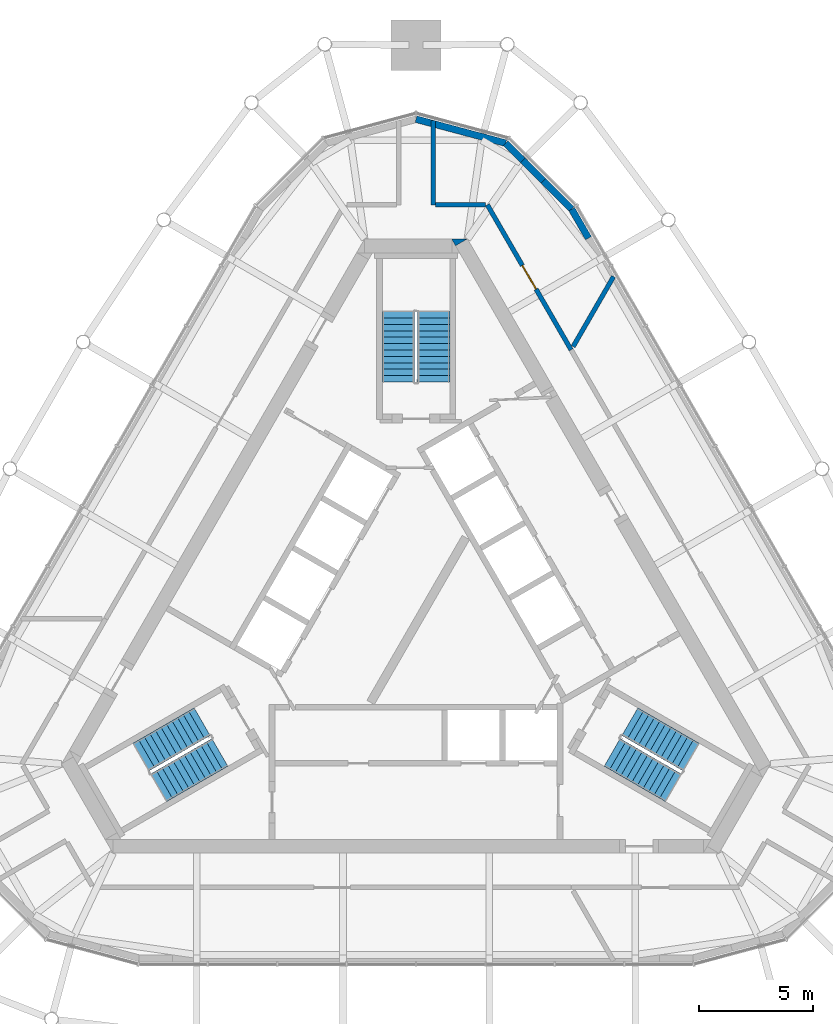
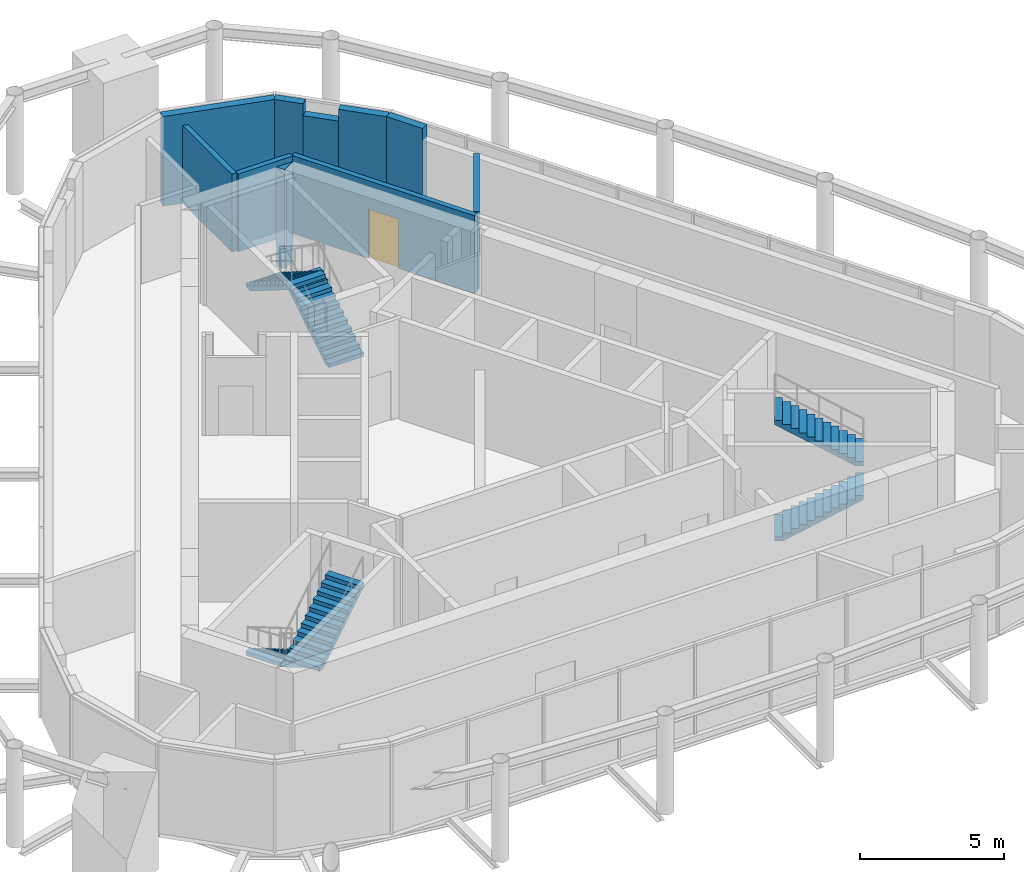
# One storey, part 10 of 11: 10 walls, 6 stair flights, 1 door, 1 opening, 3 elements without a shape of their own.
"""IFC4 building model written with IfcOpenShell, lengths in metres."""

from ifc_helpers import new_model, si_unit, direction, frame, frame_2d, origin, place, context, subcontext, project, spatial, polyline, rectangle, outline, extrude, material, layer, layer_set, type_object, element, fill, aggregate, save


model = new_model("IFC4")

# Units and contexts
model_context = context("Model", 3, precision=1e-05, world=origin(), true_north=direction((0.0, 1.0)))
body_context = subcontext(model_context, "Body", "Model", "MODEL_VIEW")
ifc_project = project(units=[si_unit("LENGTHUNIT", "METRE"), si_unit("AREAUNIT", "SQUARE_METRE"), si_unit("VOLUMEUNIT", "CUBIC_METRE"), si_unit("PLANEANGLEUNIT", "RADIAN"), si_unit("MASSUNIT", "GRAM", prefix="KILO")], contexts=[model_context])

# Site, building, storey
site_placement = place(None, origin())
site = spatial("IfcSite", under=ifc_project, at=site_placement, CompositionType="ELEMENT")
building_placement = place(site_placement, origin())
building = spatial("IfcBuilding", under=site, at=building_placement, Name="Mestral Congress Tower", CompositionType="ELEMENT")
storey_placement = place(building_placement, frame((0.0, 0.0, 344.39990234375)))
storey = spatial("IfcBuildingStorey", under=building, at=storey_placement, Name="L80", CompositionType="ELEMENT", Elevation=344.39990234375)

# Walls
ifc_material_1 = material(Name="Concrete C60/75", Category="concrete")
ifc_layer_1 = layer(ifc_material_1, 0.60009765625)
ifc_layer_set_1 = layer_set([ifc_layer_1], Name="Concrete C60/75")
wall_type_1 = type_object("IfcWallType", Name="Core wall RC 600", PredefinedType="SOLIDWALL", material=ifc_layer_set_1)
placement = place(storey_placement, origin())
element("IfcWall", 1, at=placement, inside=storey, type_object=wall_type_1, Name="L80 core wall", PredefinedType="SOLIDWALL", context=body_context, shape_type="SweptSolid", body=[
    extrude(outline(polyline([(1.558837890625, 16.60009765625), (2.23486328125, 16.60009765625), (1.727783203125, 16.307373046875), (1.558837890625, 16.60009765625)])), origin(), (0.0, 0.0, 1.0), 4.2001953125),
])
ifc_material_2 = material(Name="Precast concrete C40/50 with limestone facing", Category="masonry")
ifc_layer_2 = layer(ifc_material_2, 0.300048828125)
ifc_layer_set_2 = layer_set([ifc_layer_2], Name="Precast concrete C40/50 with limestone facing")
wall_type_2 = type_object("IfcWallType", Name="Crown plant block wall 300", PredefinedType="SOLIDWALL", material=ifc_layer_set_2)
wall_2_placement = place(storey_placement, frame((7.5400390625, 16.64013671875, 0.0), z_axis=(0.0, 0.0, 1.0), x_axis=(-0.499977492351, 0.866038398192, 0.0)))
element("IfcWall", 2, at=wall_2_placement, inside=storey, type_object=wall_type_2, Name="Plant block wall 5", PredefinedType="SOLIDWALL", context=body_context, shape_type="SweptSolid", body=[
    extrude(rectangle(XDim=1.4638671875, YDim=0.300048828125, at=frame_2d((0.73193359375, 0.0))), origin(), (0.0, 0.0, 1.0), 3.800048828125),
])
wall_3_placement = place(storey_placement, frame((6.80810546875, 17.907958984375, 0.0), z_axis=(0.0, 0.0, 1.0), x_axis=(-0.707106781187, 0.707106781187, 0.0)))
element("IfcWall", 3, at=wall_3_placement, inside=storey, type_object=wall_type_2, Name="Plant block wall 6", PredefinedType="SOLIDWALL", context=body_context, shape_type="SweptSolid", body=[
    extrude(rectangle(XDim=1.751953125, YDim=0.300048828125, at=frame_2d((0.8759765625, 0.0))), origin(), (0.0, 0.0, 1.0), 3.800048828125),
])
wall_4_placement = place(storey_placement, frame((4.67529296875, 20.040771484375, 0.0), z_axis=(0.0, 0.0, 1.0), x_axis=(-0.707106781187, 0.707106781187, 0.0)))
element("IfcWall", 4, at=wall_4_placement, inside=storey, type_object=wall_type_2, Name="Plant block wall 6", PredefinedType="SOLIDWALL", context=body_context, shape_type="SweptSolid", body=[
    extrude(rectangle(XDim=1.064697265625, YDim=0.300048828125, at=frame_2d((0.5322265625, 0.0))), origin(), (0.0, 0.0, 1.0), 3.800048828125),
])
wall_5_placement = place(storey_placement, frame((3.92236328125, 20.793701171875, 0.0), z_axis=(0.0, 0.0, 1.0), x_axis=(-0.965923898226, 0.258826240624, 0.0)))
element("IfcWall", 5, at=wall_5_placement, inside=storey, type_object=wall_type_2, Name="Plant block wall 7", PredefinedType="SOLIDWALL", context=body_context, shape_type="SweptSolid", body=[
    extrude(rectangle(XDim=4.060791015625, YDim=0.300048828125, at=frame_2d((2.0302734375, 0.0))), origin(), (0.0, 0.0, 1.0), 3.800048828125),
])
ifc_layer_3 = layer(ifc_material_2, 0.300048828125)
ifc_layer_set_3 = layer_set([ifc_layer_3], Name="Precast concrete C40/50 with limestone facing")
wall_type_3 = type_object("IfcWallType", Name="Crown plant block wall 300 under girder", PredefinedType="SOLIDWALL", material=ifc_layer_set_3)
wall_6_placement = place(storey_placement, frame((5.5693359375, 19.146728515625, 0.0), z_axis=(0.0, 0.0, 1.0), x_axis=(-0.707106781187, 0.707106781187, 0.0)))
element("IfcWall", 6, at=wall_6_placement, inside=storey, type_object=wall_type_3, Name="Plant block wall 6", PredefinedType="SOLIDWALL", context=body_context, shape_type="SweptSolid", body=[
    extrude(rectangle(XDim=1.264404296875, YDim=0.300048828125, at=frame_2d((0.63232421875, 0.0))), origin(), (0.0, 0.0, 1.0), 3.300048828125),
])

# Wall, opening, door
ifc_material_3 = material(Name="Concrete block wall, plastered", Category="concrete")
ifc_layer_4 = layer(ifc_material_3, 0.199951171875)
ifc_layer_set_4 = layer_set([ifc_layer_4], Name="Concrete block wall, plastered")
wall_type_4 = type_object("IfcWallType", Name="Special partition 200 EI 120", PredefinedType="PARTITIONING", material=ifc_layer_set_4)
wall_7_placement = place(storey_placement, frame((6.779052734375, 11.758544921875, 0.0), z_axis=(0.0, 0.0, 1.0), x_axis=(-0.50000817069, 0.866020686383, 0.0)))
wall_7 = element("IfcWall", 7, at=wall_7_placement, inside=storey, type_object=wall_type_4, Name="Partition", PredefinedType="PARTITIONING", context=body_context, shape_type="SweptSolid", body=[
    extrude(rectangle(XDim=7.32275390625, YDim=0.199951171875, at=frame_2d((3.661376953125, 0.0))), origin(), (0.0, 0.0, 1.0), 3.300048828125),
])
opening_placement = place(wall_7_placement, frame((3.061279296875, 0.0, 0.0)))
opening = element("IfcOpeningElement", 8, at=opening_placement, cuts=wall_7, Name="Opening K80-005", PredefinedType="OPENING", context=body_context, shape_type="SweptSolid", body=[
    extrude(rectangle(XDim=1.199951171875, YDim=2.10009765625, at=frame_2d((0.60009765625, 1.050048828125))), frame((0.0, 0.10986328125, 0.0), z_axis=(0.0, -1.0, 0.0), x_axis=(1.0, 0.0, 0.0)), (0.0, 0.0, 1.0), 0.219970703125),
])
ifc_material_4 = material(Name="Fire-rated steel door set", Category="steel")
door_type = type_object("IfcDoorType", Name="Plant room door 1200x2100", OperationType="SINGLE_SWING_LEFT", PredefinedType="DOOR", material=ifc_material_4)
door_placement = place(opening_placement, origin())
door = element("IfcDoor", 9, at=door_placement, inside=storey, type_object=door_type, Name="Door K80-005", OperationType="SINGLE_SWING_RIGHT", OverallHeight=2.10009765625, OverallWidth=1.199951171875, PredefinedType="DOOR", context=body_context, shape_type="SweptSolid", body=[
    extrude(rectangle(XDim=1.199951171875, YDim=2.10009765625, at=frame_2d((0.60009765625, 1.050048828125))), frame((0.0, 0.02490234375, 0.0), z_axis=(0.0, -1.0, 0.0), x_axis=(1.0, 0.0, 0.0)), (0.0, 0.0, 1.0), 0.050048828125),
])
fill(opening, door)

# Walls
wall_8_placement = place(storey_placement, frame((6.868896484375, 11.897216796875, 0.0), z_axis=(0.0, 0.0, 1.0), x_axis=(0.500037187688, 0.866003932398, 0.0)))
element("IfcWall", 10, at=wall_8_placement, inside=storey, type_object=wall_type_4, Name="Partition", PredefinedType="PARTITIONING", context=body_context, shape_type="SweptSolid", body=[
    extrude(rectangle(XDim=3.536376953125, YDim=0.199951171875, at=frame_2d((1.76806640625, 0.0))), origin(), (0.0, 0.0, 1.0), 3.300048828125),
])
wall_9_placement = place(storey_placement, frame((0.75, 21.78857421875, 0.0), z_axis=(0.0, 0.0, 1.0), x_axis=(0.0, -1.0, 0.0)))
element("IfcWall", 11, at=wall_9_placement, inside=storey, type_object=wall_type_4, Name="Partition", PredefinedType="PARTITIONING", context=body_context, shape_type="SweptSolid", body=[
    extrude(rectangle(XDim=3.6884765625, YDim=0.199951171875, at=frame_2d((1.84423828125, 0.0))), origin(), (0.0, 0.0, 1.0), 3.300048828125),
])
wall_10_placement = place(storey_placement, frame((0.85009765625, 18.10009765625, 0.0), z_axis=(0.0, 0.0, 1.0), x_axis=(1.0, 0.0, 0.0)))
element("IfcWall", 12, at=wall_10_placement, inside=storey, type_object=wall_type_4, Name="Partition", PredefinedType="PARTITIONING", context=body_context, shape_type="SweptSolid", body=[
    extrude(rectangle(XDim=2.177490234375, YDim=0.199951171875, at=frame_2d((1.0888671875, 0.0))), origin(), (0.0, 0.0, 1.0), 3.300048828125),
])

# Stair, stair flights
stair_type = type_object("IfcStairType", Name="Exit stair 1400", PredefinedType="HALF_TURN_STAIR", material=ifc_material_1)
stair_1 = element("IfcStair", 13, at=placement, inside=storey, type_object=stair_type, Name="L80 ST1", PredefinedType="HALF_TURN_STAIR")
stair_flight_type = type_object("IfcStairFlightType", Name="Exit stair flight 1400", PredefinedType="STRAIGHT", material=ifc_material_1)
stair_flight_1_placement = place(storey_placement, frame((8.575927734375, -5.84619140625, 0.0), z_axis=(0.0, 0.0, 1.0), x_axis=(0.866025403784, -0.5, 0.0)))
stair_flight_1 = element("IfcStairFlight", 14, at=stair_flight_1_placement, type_object=stair_flight_type, Name="ST1 flight 1", NumberOfRisers=12, NumberOfTreads=11, PredefinedType="STRAIGHT", RiserHeight=0.175, TreadLength=0.28, context=body_context, shape_type="SweptSolid", body=[
    extrude(outline(polyline([(0.0, 0.0), (0.0, 0.175048828125), (0.280029296875, 0.175048828125), (0.280029296875, 0.35009765625), (0.56005859375, 0.35009765625), (0.56005859375, 0.52490234375), (0.840087890625, 0.52490234375), (0.840087890625, 0.699951171875), (1.1201171875, 0.699951171875), (1.1201171875, 0.875), (1.39990234375, 0.875), (1.39990234375, 1.050048828125), (1.679931640625, 1.050048828125), (1.679931640625, 1.22509765625), (1.9599609375, 1.22509765625), (1.9599609375, 1.39990234375), (2.239990234375, 1.39990234375), (2.239990234375, 1.574951171875), (2.52001953125, 1.574951171875), (2.52001953125, 1.75), (2.800048828125, 1.75), (2.800048828125, 1.925048828125), (3.080078125, 1.925048828125), (3.080078125, 2.10009765625), (3.080078125, 1.748291015625), (0.28271484375, 0.0), (0.0, 0.0)])), frame((0.0, 0.699951171875, 0.0), z_axis=(0.0, -1.0, 0.0), x_axis=(1.0, 0.0, 0.0)), (0.0, 0.0, 1.0), 1.39990234375),
])
stair_flight_2_placement = place(storey_placement, frame((12.018310546875, -6.0439453125, 2.10009765625), z_axis=(0.0, 0.0, 1.0), x_axis=(-0.866025403784, 0.5, 0.0)))
stair_flight_2 = element("IfcStairFlight", 15, at=stair_flight_2_placement, type_object=stair_flight_type, Name="ST1 flight 2", NumberOfRisers=12, NumberOfTreads=11, PredefinedType="STRAIGHT", RiserHeight=0.175, TreadLength=0.28, context=body_context, shape_type="SweptSolid", body=[
    extrude(outline(polyline([(0.0, 0.0), (0.0, 0.175048828125), (0.280029296875, 0.175048828125), (0.280029296875, 0.35009765625), (0.56005859375, 0.35009765625), (0.56005859375, 0.52490234375), (0.840087890625, 0.52490234375), (0.840087890625, 0.699951171875), (1.1201171875, 0.699951171875), (1.1201171875, 0.875), (1.39990234375, 0.875), (1.39990234375, 1.050048828125), (1.679931640625, 1.050048828125), (1.679931640625, 1.22509765625), (1.9599609375, 1.22509765625), (1.9599609375, 1.39990234375), (2.239990234375, 1.39990234375), (2.239990234375, 1.574951171875), (2.52001953125, 1.574951171875), (2.52001953125, 1.75), (2.800048828125, 1.75), (2.800048828125, 1.925048828125), (3.080078125, 1.925048828125), (3.080078125, 2.10009765625), (3.080078125, 1.748291015625), (0.28271484375, 0.0), (0.0, 0.0)])), frame((0.0, 0.699951171875, 0.0), z_axis=(0.0, -1.0, 0.0), x_axis=(1.0, 0.0, 0.0)), (0.0, 0.0, 1.0), 1.39990234375),
])
aggregate(stair_1, [stair_flight_1, stair_flight_2])

stair_2 = element("IfcStair", 16, at=placement, inside=storey, type_object=stair_type, Name="L80 ST2", PredefinedType="HALF_TURN_STAIR")
stair_flight_3_placement = place(storey_placement, frame((0.77490234375, 10.35009765625, 0.0), z_axis=(0.0, 0.0, 1.0), x_axis=(0.0, 1.0, 0.0)))
stair_flight_3 = element("IfcStairFlight", 17, at=stair_flight_3_placement, type_object=stair_flight_type, Name="ST2 flight 1", NumberOfRisers=12, NumberOfTreads=11, PredefinedType="STRAIGHT", RiserHeight=0.175, TreadLength=0.28, context=body_context, shape_type="SweptSolid", body=[
    extrude(outline(polyline([(0.0, 0.0), (0.0, 0.175048828125), (0.280029296875, 0.175048828125), (0.280029296875, 0.35009765625), (0.56005859375, 0.35009765625), (0.56005859375, 0.52490234375), (0.840087890625, 0.52490234375), (0.840087890625, 0.699951171875), (1.1201171875, 0.699951171875), (1.1201171875, 0.875), (1.39990234375, 0.875), (1.39990234375, 1.050048828125), (1.679931640625, 1.050048828125), (1.679931640625, 1.22509765625), (1.9599609375, 1.22509765625), (1.9599609375, 1.39990234375), (2.239990234375, 1.39990234375), (2.239990234375, 1.574951171875), (2.52001953125, 1.574951171875), (2.52001953125, 1.75), (2.800048828125, 1.75), (2.800048828125, 1.925048828125), (3.080078125, 1.925048828125), (3.080078125, 2.10009765625), (3.080078125, 1.748291015625), (0.28271484375, 0.0), (0.0, 0.0)])), frame((0.0, 0.699951171875, 0.0), z_axis=(0.0, -1.0, 0.0), x_axis=(1.0, 0.0, 0.0)), (0.0, 0.0, 1.0), 1.39990234375),
])
stair_flight_4_placement = place(storey_placement, frame((-0.77490234375, 13.429931640625, 2.10009765625), z_axis=(0.0, 0.0, 1.0), x_axis=(0.0, -1.0, 0.0)))
stair_flight_4 = element("IfcStairFlight", 18, at=stair_flight_4_placement, type_object=stair_flight_type, Name="ST2 flight 2", NumberOfRisers=12, NumberOfTreads=11, PredefinedType="STRAIGHT", RiserHeight=0.175, TreadLength=0.28, context=body_context, shape_type="SweptSolid", body=[
    extrude(outline(polyline([(0.0, 0.0), (0.0, 0.175048828125), (0.280029296875, 0.175048828125), (0.280029296875, 0.35009765625), (0.56005859375, 0.35009765625), (0.56005859375, 0.52490234375), (0.840087890625, 0.52490234375), (0.840087890625, 0.699951171875), (1.1201171875, 0.699951171875), (1.1201171875, 0.875), (1.39990234375, 0.875), (1.39990234375, 1.050048828125), (1.679931640625, 1.050048828125), (1.679931640625, 1.22509765625), (1.9599609375, 1.22509765625), (1.9599609375, 1.39990234375), (2.239990234375, 1.39990234375), (2.239990234375, 1.574951171875), (2.52001953125, 1.574951171875), (2.52001953125, 1.75), (2.800048828125, 1.75), (2.800048828125, 1.925048828125), (3.080078125, 1.925048828125), (3.080078125, 2.10009765625), (3.080078125, 1.748291015625), (0.28271484375, 0.0), (0.0, 0.0)])), frame((0.0, 0.699951171875, 0.0), z_axis=(0.0, -1.0, 0.0), x_axis=(1.0, 0.0, 0.0)), (0.0, 0.0, 1.0), 1.39990234375),
])
aggregate(stair_2, [stair_flight_3, stair_flight_4])

stair_3 = element("IfcStair", 19, at=placement, inside=storey, type_object=stair_type, Name="L80 ST3", PredefinedType="HALF_TURN_STAIR")
stair_flight_5_placement = place(storey_placement, frame((-9.350830078125, -4.50390625, 0.0), z_axis=(0.0, 0.0, 1.0), x_axis=(-0.866025403784, -0.5, 0.0)))
stair_flight_5 = element("IfcStairFlight", 20, at=stair_flight_5_placement, type_object=stair_flight_type, Name="ST3 flight 1", NumberOfRisers=12, NumberOfTreads=11, PredefinedType="STRAIGHT", RiserHeight=0.175, TreadLength=0.28, context=body_context, shape_type="SweptSolid", body=[
    extrude(outline(polyline([(0.0, 0.0), (0.0, 0.175048828125), (0.280029296875, 0.175048828125), (0.280029296875, 0.35009765625), (0.56005859375, 0.35009765625), (0.56005859375, 0.52490234375), (0.840087890625, 0.52490234375), (0.840087890625, 0.699951171875), (1.1201171875, 0.699951171875), (1.1201171875, 0.875), (1.39990234375, 0.875), (1.39990234375, 1.050048828125), (1.679931640625, 1.050048828125), (1.679931640625, 1.22509765625), (1.9599609375, 1.22509765625), (1.9599609375, 1.39990234375), (2.239990234375, 1.39990234375), (2.239990234375, 1.574951171875), (2.52001953125, 1.574951171875), (2.52001953125, 1.75), (2.800048828125, 1.75), (2.800048828125, 1.925048828125), (3.080078125, 1.925048828125), (3.080078125, 2.10009765625), (3.080078125, 1.748291015625), (0.28271484375, 0.0), (0.0, 0.0)])), frame((0.0, 0.699951171875, 0.0), z_axis=(0.0, -1.0, 0.0), x_axis=(1.0, 0.0, 0.0)), (0.0, 0.0, 1.0), 1.39990234375),
])
stair_flight_6_placement = place(storey_placement, frame((-11.2431640625, -7.38623046875, 2.10009765625), z_axis=(0.0, 0.0, 1.0), x_axis=(0.866025403784, 0.5, 0.0)))
stair_flight_6 = element("IfcStairFlight", 21, at=stair_flight_6_placement, type_object=stair_flight_type, Name="ST3 flight 2", NumberOfRisers=12, NumberOfTreads=11, PredefinedType="STRAIGHT", RiserHeight=0.175, TreadLength=0.28, context=body_context, shape_type="SweptSolid", body=[
    extrude(outline(polyline([(0.0, 0.0), (0.0, 0.175048828125), (0.280029296875, 0.175048828125), (0.280029296875, 0.35009765625), (0.56005859375, 0.35009765625), (0.56005859375, 0.52490234375), (0.840087890625, 0.52490234375), (0.840087890625, 0.699951171875), (1.1201171875, 0.699951171875), (1.1201171875, 0.875), (1.39990234375, 0.875), (1.39990234375, 1.050048828125), (1.679931640625, 1.050048828125), (1.679931640625, 1.22509765625), (1.9599609375, 1.22509765625), (1.9599609375, 1.39990234375), (2.239990234375, 1.39990234375), (2.239990234375, 1.574951171875), (2.52001953125, 1.574951171875), (2.52001953125, 1.75), (2.800048828125, 1.75), (2.800048828125, 1.925048828125), (3.080078125, 1.925048828125), (3.080078125, 2.10009765625), (3.080078125, 1.748291015625), (0.28271484375, 0.0), (0.0, 0.0)])), frame((0.0, 0.699951171875, 0.0), z_axis=(0.0, -1.0, 0.0), x_axis=(1.0, 0.0, 0.0)), (0.0, 0.0, 1.0), 1.39990234375),
])
aggregate(stair_3, [stair_flight_5, stair_flight_6])

save(model, "model.ifc")
